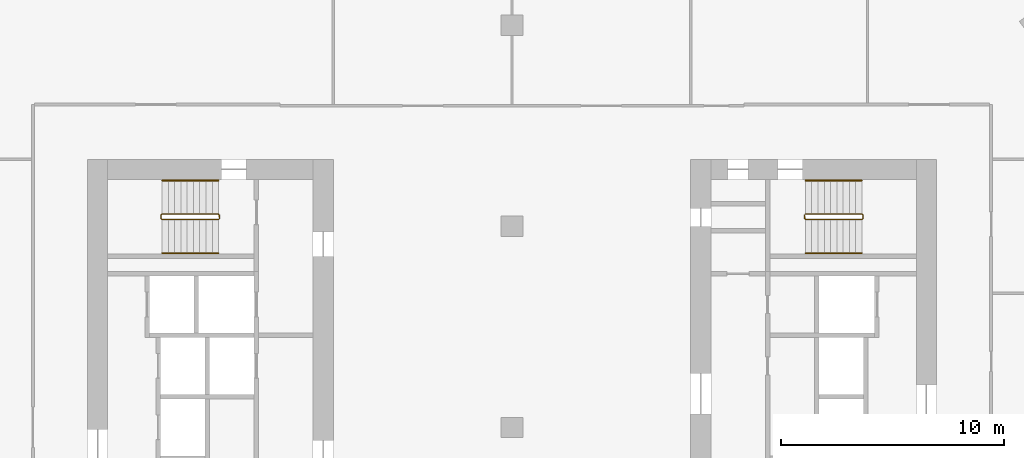
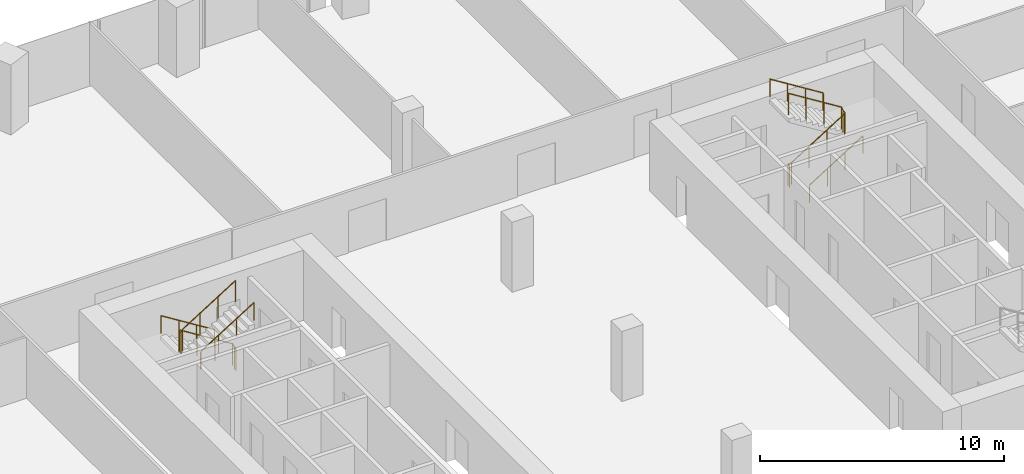
# One storey, part 26 of 27: 6 railings.
"""IFC4 building model written with IfcOpenShell, lengths in metres."""

import ifcopenshell
import ifcopenshell.guid

model = None  # the IFC model being written
_history = None  # IfcOwnerHistory: only IFC2X3 demands one
_inside = {}  # id of a spatial element -> (the spatial element, [elements in it])
_under = {}  # id of a project, library or spatial element -> (it, [spatial elements below it])
_declared = {}  # id of a project -> (the project, [libraries it declares])
_typed = {}  # id of a type object -> (the type object, [elements of that type])
_made_of = {}  # id of a material, layer set ... -> (it, [elements and type objects made of it])


def new_model(schema):
    """Start an empty IFC model of exactly this schema.

    Asked for "IFC4X3", IfcOpenShell would pick the latest addendum, in which some entities
    have other attributes; the version numbers below select the first issue.
    IFC2X3 requires an IfcOwnerHistory on every rooted entity: one is made here for all.
    """
    global model, _history
    if schema == "IFC4X3":
        model = ifcopenshell.file(schema_version=(4, 3, 0, 0))
    else:
        model = ifcopenshell.file(schema=schema)
    _inside.clear()
    _under.clear()
    _declared.clear()
    _typed.clear()
    _made_of.clear()
    _history = None
    if model.schema == "IFC2X3":
        org = make("IfcOrganization", Name="unknown")
        user = make(
            "IfcPersonAndOrganization",
            ThePerson=make("IfcPerson", FamilyName="unknown"),
            TheOrganization=org,
        )
        app = make(
            "IfcApplication",
            ApplicationDeveloper=org,
            Version="unknown",
            ApplicationFullName="unknown",
            ApplicationIdentifier="unknown",
        )
        _history = make(
            "IfcOwnerHistory",
            OwningUser=user,
            OwningApplication=app,
            ChangeAction="ADDED",
            CreationDate=0,
        )
    return model


def make(cls, **values):
    """One entity of the class cls with the attributes given. An attribute that is None is left unset."""
    return model.create_entity(
        cls, **{name: value for name, value in values.items() if value is not None}
    )


def rooted(cls, **values):
    """An entity with a GlobalId (a new one), such as an element, a storey or a relation."""
    return make(cls, GlobalId=ifcopenshell.guid.new(), OwnerHistory=_history, **values)


def si_unit(unit_type, name, prefix=None):
    """IfcSIUnit, for example si_unit("LENGTHUNIT", "METRE", prefix="MILLI")."""
    return make("IfcSIUnit", UnitType=unit_type, Prefix=prefix, Name=name)


def assignment(units):
    """IfcUnitAssignment: the units of a project."""
    return None if units is None else make("IfcUnitAssignment", Units=units)


def point(xyz):
    """IfcCartesianPoint."""
    return None if xyz is None else make("IfcCartesianPoint", Coordinates=xyz)


def direction(xyz):
    """IfcDirection."""
    return None if xyz is None else make("IfcDirection", DirectionRatios=xyz)


def frame(location, z_axis=None, x_axis=None):
    """IfcAxis2Placement3D, a coordinate frame: its origin and axes. An axis left out is left unset."""
    return make(
        "IfcAxis2Placement3D",
        Location=point(location),
        Axis=direction(z_axis),
        RefDirection=direction(x_axis),
    )


def frame_2d(location, x_axis=None):
    """IfcAxis2Placement2D, a coordinate frame in the plane: its origin and x axis."""
    return make(
        "IfcAxis2Placement2D", Location=point(location), RefDirection=direction(x_axis)
    )


def origin():
    """The frame at (0, 0, 0) with its axes left unset."""
    return frame((0.0, 0.0, 0.0))


def origin_2d():
    """The frame at (0, 0) in the plane with its x axis left unset."""
    return frame_2d((0.0, 0.0))


def place(relative_to, where):
    """IfcLocalPlacement: puts the frame where relative to a parent placement (None: the world)."""
    return make(
        "IfcLocalPlacement", PlacementRelTo=relative_to, RelativePlacement=where
    )


def context(
    kind, dimensions, precision=None, world=None, true_north=None, identifier=None
):
    """IfcGeometricRepresentationContext, for example the 3D "Model" context."""
    return make(
        "IfcGeometricRepresentationContext",
        ContextIdentifier=identifier,
        ContextType=kind,
        CoordinateSpaceDimension=dimensions,
        Precision=precision,
        WorldCoordinateSystem=world,
        TrueNorth=true_north,
    )


def subcontext(parent, identifier, kind, view, scale=None):
    """IfcGeometricRepresentationSubContext, for example "Body" below "Model"."""
    return make(
        "IfcGeometricRepresentationSubContext",
        ContextIdentifier=identifier,
        ContextType=kind,
        ParentContext=parent,
        TargetScale=scale,
        TargetView=view,
    )


def project(units=None, contexts=None):
    """IfcProject with its units and contexts."""
    return rooted(
        "IfcProject",
        Name="project",
        RepresentationContexts=contexts,
        UnitsInContext=assignment(units),
    )


def spatial(cls, under=None, at=None, **own):
    """A site, building, storey or space (cls), placed at a placement, below another one or the project."""
    s = rooted(cls, ObjectPlacement=at, **own)
    if under is not None:
        _under.setdefault(under.id(), (under, []))[1].append(s)
    return s


def profile(cls, at=None, kind="AREA", **sizes):
    """A parametric profile (cls). Its sizes go by their IFC names, for example OverallWidth=200.0."""
    return make(cls, ProfileType=kind, Position=at, **sizes)


def circle(**sizes):
    """IfcCircleProfileDef."""
    return profile("IfcCircleProfileDef", **sizes)


def extrude(swept, where, along, depth):
    """IfcExtrudedAreaSolid: the profile swept, set in the frame where, extruded along a direction by depth."""
    return make(
        "IfcExtrudedAreaSolid",
        SweptArea=swept,
        Position=where,
        ExtrudedDirection=direction(along),
        Depth=depth,
    )


def shape(context_of_items, identifier, shape_type, items):
    """IfcShapeRepresentation: the items that make up one representation, for example the "Body"."""
    return make(
        "IfcShapeRepresentation",
        ContextOfItems=context_of_items,
        RepresentationIdentifier=identifier,
        RepresentationType=shape_type,
        Items=items,
    )


def material(Name=None, Category=None):
    """IfcMaterial."""
    return make("IfcMaterial", Name=Name, Category=Category)


def made_of(thing, what):
    """Note that an element or type object is made of a material, layer set ...; save() writes the relation."""
    if what is not None:
        _made_of.setdefault(what.id(), (what, []))[1].append(thing)
    return thing


def type_object(cls, material=None, **own):
    """A type object (cls), such as IfcWallType, which elements share."""
    return made_of(rooted(cls, **own), material)


def element(
    cls,
    number,
    at=None,
    inside=None,
    cuts=None,
    type_object=None,
    material=None,
    context=None,
    identifier="Body",
    shape_type=None,
    held_by="IfcProductDefinitionShape",
    body=None,
    shapes=None,
    **own,
):
    """One element of the class cls, such as IfcWall. Its Tag is "e" and its number.

    at: its placement. inside: the storey or other place that contains it. cuts: it is an
    opening in that element (IfcRelVoidsElement). A single representation is given by context,
    identifier, shape_type and body (its items); several are given by shapes. held_by: the class
    of the entity that holds the representations. save() writes the other relations.
    """
    e = rooted(cls, Tag="e%d" % number, ObjectPlacement=at, **own)
    if body is not None:
        shapes = [shape(context, identifier, shape_type, body)]
    if shapes is not None:
        e.Representation = make(held_by, Representations=shapes)
    if inside is not None:
        _inside.setdefault(inside.id(), (inside, []))[1].append(e)
    if cuts is not None:
        rooted(
            "IfcRelVoidsElement", RelatingBuildingElement=cuts, RelatedOpeningElement=e
        )
    if type_object is not None:
        _typed.setdefault(type_object.id(), (type_object, []))[1].append(e)
    return made_of(e, material)


def aggregate(whole, parts):
    """IfcRelAggregates: a whole, such as a stair, and the parts it consists of."""
    return rooted("IfcRelAggregates", RelatingObject=whole, RelatedObjects=parts)


def save(model, path):
    """Write the relations noted so far, then the file.

    IfcRelAggregates (storeys below a building ...), IfcRelContainedInSpatialStructure (elements
    in a storey), IfcRelDefinesByType, IfcRelAssociatesMaterial and IfcRelDeclares: one each for
    every whole, place, type object, material and project.
    """
    for whole, parts in _under.values():
        aggregate(whole, parts)
    for where, things in _inside.values():
        rooted(
            "IfcRelContainedInSpatialStructure",
            RelatedElements=things,
            RelatingStructure=where,
        )
    for kind, things in _typed.values():
        rooted("IfcRelDefinesByType", RelatedObjects=things, RelatingType=kind)
    for what, things in _made_of.values():
        rooted("IfcRelAssociatesMaterial", RelatedObjects=things, RelatingMaterial=what)
    for by, libraries in _declared.values():
        rooted("IfcRelDeclares", RelatingContext=by, RelatedDefinitions=libraries)
    model.write(path)


model = new_model("IFC4")

# Units and contexts
model_context = context("Model", 3, precision=1e-05, world=origin(), true_north=direction((0.0, 1.0)))
body_context = subcontext(model_context, "Body", "Model", "MODEL_VIEW")
ifc_project = project(units=[si_unit("LENGTHUNIT", "METRE"), si_unit("AREAUNIT", "SQUARE_METRE"), si_unit("VOLUMEUNIT", "CUBIC_METRE"), si_unit("PLANEANGLEUNIT", "RADIAN"), si_unit("MASSUNIT", "GRAM", prefix="KILO")], contexts=[model_context])

# Site, building, storey
site_placement = place(None, origin())
site = spatial("IfcSite", under=ifc_project, at=site_placement, CompositionType="ELEMENT")
building_placement = place(site_placement, origin())
building = spatial("IfcBuilding", under=site, at=building_placement, Name="Orlundy Tower", CompositionType="ELEMENT")
storey_placement = place(building_placement, frame((0.0, 0.0, 195.60009765625)))
storey = spatial("IfcBuildingStorey", under=building, at=storey_placement, Name="L51", CompositionType="ELEMENT", Elevation=195.60009765625)

# Railings
ifc_material_1 = material(Name="Steel balustrade", Category="steel")
railing_type_1 = type_object("IfcRailingType", Name="Stair Guard 1100", PredefinedType="GUARDRAIL", material=ifc_material_1)
railing_1_placement = place(storey_placement, frame((-13.090087890625, 9.5, 0.0)))
element("IfcRailing", 1, at=railing_1_placement, inside=storey, type_object=railing_type_1, Name="L51 ST-W1 stair guard 1", PredefinedType="GUARDRAIL", context=body_context, shape_type="SweptSolid", body=[
    extrude(circle(Radius=0.02392578125, at=origin_2d()), frame((0.0, 0.0, 1.076171875), z_axis=(0.0, -1.0, 0.0), x_axis=(1.0, 0.0, 0.0)), (0.0, 0.0, 1.0), 0.14990234375),
    extrude(circle(Radius=0.02392578125, at=origin_2d()), frame((0.0, -0.14990234375, 1.076171875), z_axis=(-0.184313129624, 0.739963005698, 0.646902945152), x_axis=(-0.970351222016, -0.241699205484, 0.0)), (0.0, 0.0, 1.0), 0.270263671875),
    extrude(circle(Radius=0.02392578125, at=origin_2d()), frame((-0.0498046875, 0.050048828125, 1.2509765625), z_axis=(-0.847970611238, 0.0, 0.530043245855), x_axis=(0.0, -1.0, 0.0)), (0.0, 0.0, 1.0), 2.971923828125),
    extrude(circle(Radius=0.02392578125, at=origin_2d()), frame((-2.56982421875, 0.050048828125, 2.826171875), z_axis=(-0.707106781187, -0.707106781187, 0.0), x_axis=(0.707106781187, -0.707106781187, 0.0)), (0.0, 0.0, 1.0), 0.07080078125),
    extrude(circle(Radius=0.02392578125, at=origin_2d()), frame((-2.619873046875, 0.0, 2.826171875), z_axis=(0.0, -1.0, 0.0), x_axis=(1.0, 0.0, 0.0)), (0.0, 0.0, 1.0), 0.14990234375),
    extrude(circle(Radius=0.02392578125, at=origin_2d()), frame((-2.619873046875, -0.14990234375, 2.826171875), z_axis=(0.265383341853, -0.265383341853, 0.926899867156), x_axis=(0.707106781187, 0.707106781187, 0.0)), (0.0, 0.0, 1.0), 0.1884765625),
    extrude(circle(Radius=0.02392578125, at=origin_2d()), frame((-2.56982421875, -0.199951171875, 3.0009765625), z_axis=(0.847970611238, 0.0, 0.530043245855), x_axis=(0.0, 1.0, 0.0)), (0.0, 0.0, 1.0), 2.971923828125),
    extrude(circle(Radius=0.02099609375, at=origin_2d()), origin(), (0.0, 0.0, 1.0), 1.052001953125),
    extrude(circle(Radius=0.02099609375, at=origin_2d()), frame((0.0, -0.14990234375, 0.0)), (0.0, 0.0, 1.0), 1.052001953125),
    extrude(circle(Radius=0.02099609375, at=origin_2d()), frame((-0.0498046875, 0.050048828125, 0.1748046875)), (0.0, 0.0, 1.0), 1.052001953125),
    extrude(circle(Radius=0.02099609375, at=origin_2d()), frame((-0.889892578125, 0.050048828125, 0.699951171875)), (0.0, 0.0, 1.0), 1.052001953125),
    extrude(circle(Radius=0.02099609375, at=origin_2d()), frame((-1.729736328125, 0.050048828125, 1.224853515625)), (0.0, 0.0, 1.0), 1.052001953125),
    extrude(circle(Radius=0.02099609375, at=origin_2d()), frame((-2.56982421875, 0.050048828125, 1.75)), (0.0, 0.0, 1.0), 1.052001953125),
    extrude(circle(Radius=0.02099609375, at=origin_2d()), frame((-2.619873046875, 0.0, 1.75)), (0.0, 0.0, 1.0), 1.052001953125),
    extrude(circle(Radius=0.02099609375, at=origin_2d()), frame((-2.619873046875, -0.14990234375, 1.75)), (0.0, 0.0, 1.0), 1.052001953125),
    extrude(circle(Radius=0.02099609375, at=origin_2d()), frame((-2.56982421875, -0.199951171875, 1.9248046875)), (0.0, 0.0, 1.0), 1.052001953125),
    extrude(circle(Radius=0.02099609375, at=origin_2d()), frame((-1.729736328125, -0.199951171875, 2.449951171875)), (0.0, 0.0, 1.0), 1.052001953125),
    extrude(circle(Radius=0.02099609375, at=origin_2d()), frame((-0.889892578125, -0.199951171875, 2.974853515625)), (0.0, 0.0, 1.0), 1.052001953125),
    extrude(circle(Radius=0.02099609375, at=origin_2d()), frame((-0.0498046875, -0.199951171875, 3.5)), (0.0, 0.0, 1.0), 1.052001953125),
])
railing_2_placement = place(storey_placement, frame((13.090087890625, 9.35009765625, 0.0)))
element("IfcRailing", 2, at=railing_2_placement, inside=storey, type_object=railing_type_1, Name="L51 ST-E2 stair guard 1", PredefinedType="GUARDRAIL", context=body_context, shape_type="SweptSolid", body=[
    extrude(circle(Radius=0.02392578125, at=origin_2d()), frame((0.0, 0.0, 1.076171875), z_axis=(0.0, 1.0, 0.0), x_axis=(-1.0, 0.0, 0.0)), (0.0, 0.0, 1.0), 0.14990234375),
    extrude(circle(Radius=0.02392578125, at=origin_2d()), frame((0.0, 0.14990234375, 1.076171875), z_axis=(0.184313129624, -0.739963005698, 0.646902945152), x_axis=(0.970351222016, 0.241699205484, 0.0)), (0.0, 0.0, 1.0), 0.270263671875),
    extrude(circle(Radius=0.02392578125, at=origin_2d()), frame((0.0498046875, -0.050048828125, 1.2509765625), z_axis=(0.847970611238, 0.0, 0.530043245855), x_axis=(0.0, 1.0, 0.0)), (0.0, 0.0, 1.0), 2.971923828125),
    extrude(circle(Radius=0.02392578125, at=origin_2d()), frame((2.56982421875, -0.050048828125, 2.826171875), z_axis=(0.707106781187, 0.707106781187, 0.0), x_axis=(-0.707106781187, 0.707106781187, 0.0)), (0.0, 0.0, 1.0), 0.07080078125),
    extrude(circle(Radius=0.02392578125, at=origin_2d()), frame((2.619873046875, 0.0, 2.826171875), z_axis=(0.0, 1.0, 0.0), x_axis=(-1.0, 0.0, 0.0)), (0.0, 0.0, 1.0), 0.14990234375),
    extrude(circle(Radius=0.02392578125, at=origin_2d()), frame((2.619873046875, 0.14990234375, 2.826171875), z_axis=(-0.265383341853, 0.265383341853, 0.926899867156), x_axis=(-0.707106781187, -0.707106781187, 0.0)), (0.0, 0.0, 1.0), 0.1884765625),
    extrude(circle(Radius=0.02392578125, at=origin_2d()), frame((2.56982421875, 0.199951171875, 3.0009765625), z_axis=(-0.847970611238, 0.0, 0.530043245855), x_axis=(0.0, -1.0, 0.0)), (0.0, 0.0, 1.0), 2.971923828125),
    extrude(circle(Radius=0.02099609375, at=origin_2d()), origin(), (0.0, 0.0, 1.0), 1.052001953125),
    extrude(circle(Radius=0.02099609375, at=origin_2d()), frame((0.0, 0.14990234375, 0.0)), (0.0, 0.0, 1.0), 1.052001953125),
    extrude(circle(Radius=0.02099609375, at=origin_2d()), frame((0.0498046875, -0.050048828125, 0.1748046875)), (0.0, 0.0, 1.0), 1.052001953125),
    extrude(circle(Radius=0.02099609375, at=origin_2d()), frame((0.889892578125, -0.050048828125, 0.699951171875)), (0.0, 0.0, 1.0), 1.052001953125),
    extrude(circle(Radius=0.02099609375, at=origin_2d()), frame((1.729736328125, -0.050048828125, 1.224853515625)), (0.0, 0.0, 1.0), 1.052001953125),
    extrude(circle(Radius=0.02099609375, at=origin_2d()), frame((2.56982421875, -0.050048828125, 1.75)), (0.0, 0.0, 1.0), 1.052001953125),
    extrude(circle(Radius=0.02099609375, at=origin_2d()), frame((2.619873046875, 0.0, 1.75)), (0.0, 0.0, 1.0), 1.052001953125),
    extrude(circle(Radius=0.02099609375, at=origin_2d()), frame((2.619873046875, 0.14990234375, 1.75)), (0.0, 0.0, 1.0), 1.052001953125),
    extrude(circle(Radius=0.02099609375, at=origin_2d()), frame((2.56982421875, 0.199951171875, 1.9248046875)), (0.0, 0.0, 1.0), 1.052001953125),
    extrude(circle(Radius=0.02099609375, at=origin_2d()), frame((1.729736328125, 0.199951171875, 2.449951171875)), (0.0, 0.0, 1.0), 1.052001953125),
    extrude(circle(Radius=0.02099609375, at=origin_2d()), frame((0.889892578125, 0.199951171875, 2.974853515625)), (0.0, 0.0, 1.0), 1.052001953125),
    extrude(circle(Radius=0.02099609375, at=origin_2d()), frame((0.0498046875, 0.199951171875, 3.5)), (0.0, 0.0, 1.0), 1.052001953125),
])
ifc_material_2 = material(Name="Steel handrail", Category="steel")
railing_type_2 = type_object("IfcRailingType", Name="Stair Handrail 900", PredefinedType="HANDRAIL", material=ifc_material_2)
railing_3_placement = place(storey_placement, frame((-13.139892578125, 11.050048828125, 0.1748046875)))
element("IfcRailing", 3, at=railing_3_placement, inside=storey, type_object=railing_type_2, Name="L51 ST-W1 stair handrail 1", PredefinedType="HANDRAIL", context=body_context, shape_type="SweptSolid", body=[
    extrude(circle(Radius=0.02392578125, at=origin_2d()), frame((0.0, 0.0, 0.8759765625), z_axis=(-0.847970611238, 0.0, 0.530043245855), x_axis=(0.0, -1.0, 0.0)), (0.0, 0.0, 1.0), 2.971923828125),
    extrude(circle(Radius=0.02099609375, at=origin_2d()), origin(), (0.0, 0.0, 1.0), 0.851806640625),
    extrude(circle(Radius=0.02099609375, at=origin_2d()), frame((-0.840087890625, 0.0, 0.525146484375)), (0.0, 0.0, 1.0), 0.851806640625),
    extrude(circle(Radius=0.02099609375, at=origin_2d()), frame((-1.679931640625, 0.0, 1.050048828125)), (0.0, 0.0, 1.0), 0.851806640625),
    extrude(circle(Radius=0.02099609375, at=origin_2d()), frame((-2.52001953125, 0.0, 1.5751953125)), (0.0, 0.0, 1.0), 0.851806640625),
])
for number, where, name in (
    (4, (-15.659912109375, 7.800048828125, 1.9248046875), "L51 ST-W1 stair handrail 2"),
    (5, (13.139892578125, 7.800048828125, 0.1748046875), "L51 ST-E2 stair handrail 1"),
):
    element("IfcRailing", number, at=place(storey_placement, frame(where)), inside=storey, type_object=railing_type_2, Name=name, PredefinedType="HANDRAIL", context=body_context, shape_type="SweptSolid", body=[
        extrude(circle(Radius=0.02392578125, at=origin_2d()), frame((0.0, 0.0, 0.8759765625), z_axis=(0.847970611238, 0.0, 0.530043245855), x_axis=(0.0, 1.0, 0.0)), (0.0, 0.0, 1.0), 2.971923828125),
        extrude(circle(Radius=0.02099609375, at=origin_2d()), origin(), (0.0, 0.0, 1.0), 0.851806640625),
        extrude(circle(Radius=0.02099609375, at=origin_2d()), frame((0.840087890625, 0.0, 0.525146484375)), (0.0, 0.0, 1.0), 0.851806640625),
        extrude(circle(Radius=0.02099609375, at=origin_2d()), frame((1.679931640625, 0.0, 1.050048828125)), (0.0, 0.0, 1.0), 0.851806640625),
        extrude(circle(Radius=0.02099609375, at=origin_2d()), frame((2.52001953125, 0.0, 1.5751953125)), (0.0, 0.0, 1.0), 0.851806640625),
    ])
railing_4_placement = place(storey_placement, frame((15.659912109375, 11.050048828125, 1.9248046875)))
element("IfcRailing", 6, at=railing_4_placement, inside=storey, type_object=railing_type_2, Name="L51 ST-E2 stair handrail 2", PredefinedType="HANDRAIL", context=body_context, shape_type="SweptSolid", body=[
    extrude(circle(Radius=0.02392578125, at=origin_2d()), frame((0.0, 0.0, 0.8759765625), z_axis=(-0.847970611238, 0.0, 0.530043245855), x_axis=(0.0, -1.0, 0.0)), (0.0, 0.0, 1.0), 2.971923828125),
    extrude(circle(Radius=0.02099609375, at=origin_2d()), origin(), (0.0, 0.0, 1.0), 0.851806640625),
    extrude(circle(Radius=0.02099609375, at=origin_2d()), frame((-0.840087890625, 0.0, 0.525146484375)), (0.0, 0.0, 1.0), 0.851806640625),
    extrude(circle(Radius=0.02099609375, at=origin_2d()), frame((-1.679931640625, 0.0, 1.050048828125)), (0.0, 0.0, 1.0), 0.851806640625),
    extrude(circle(Radius=0.02099609375, at=origin_2d()), frame((-2.52001953125, 0.0, 1.5751953125)), (0.0, 0.0, 1.0), 0.851806640625),
])

save(model, "model.ifc")
